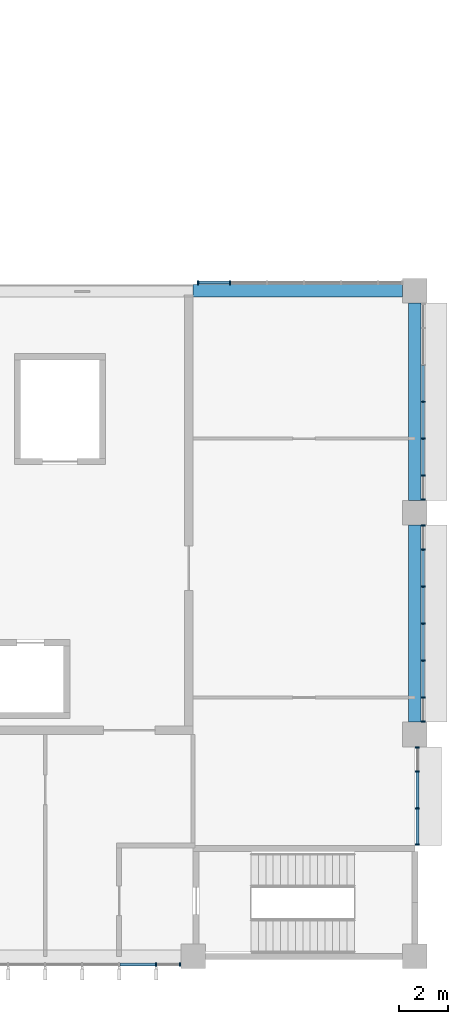
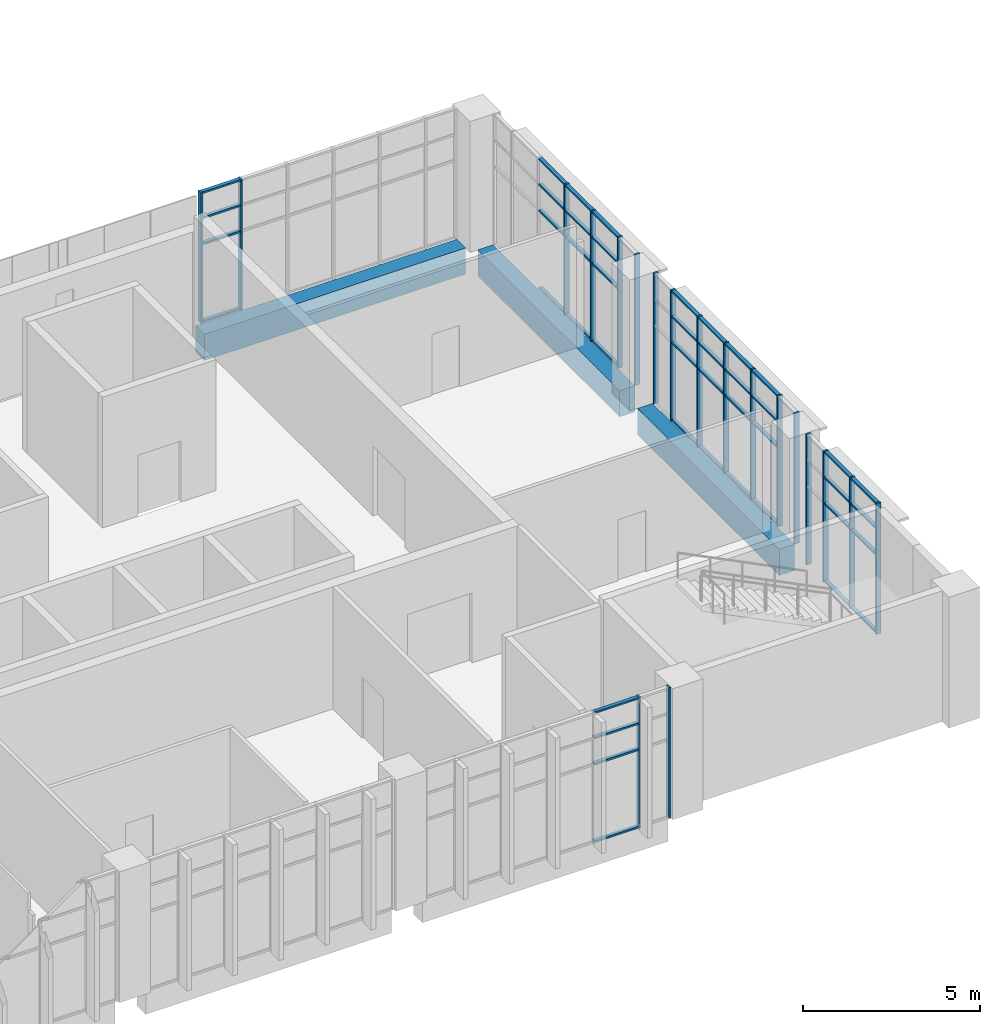
# One storey, part 32 of 88: 63 members, 3 beams, 5 elements without a shape of their own.
"""IFC4 building model written with IfcOpenShell, lengths in metres."""

from ifc_helpers import new_model, si_unit, direction, frame, origin, origin_2d, place, context, subcontext, project, spatial, rectangle, extrude, material, layer, layer_set, material_profile, profile_set, type_object, element, aggregate, save


model = new_model("IFC4")

# Units and contexts
model_context = context("Model", 3, precision=1e-05, world=origin(), true_north=direction((0.0, 1.0)))
body_context = subcontext(model_context, "Body", "Model", "MODEL_VIEW")
ifc_project = project(units=[si_unit("LENGTHUNIT", "METRE"), si_unit("AREAUNIT", "SQUARE_METRE"), si_unit("VOLUMEUNIT", "CUBIC_METRE"), si_unit("PLANEANGLEUNIT", "RADIAN"), si_unit("MASSUNIT", "GRAM", prefix="KILO")], contexts=[model_context])

# Site, building, storey
site_placement = place(None, origin())
site = spatial("IfcSite", under=ifc_project, at=site_placement, CompositionType="ELEMENT")
building_placement = place(site_placement, origin())
building = spatial("IfcBuilding", under=site, at=building_placement, Name="Guidao Yard Department Store", CompositionType="ELEMENT")
storey_placement = place(building_placement, frame((0.0, 0.0, 6.0)))
storey = spatial("IfcBuildingStorey", under=building, at=storey_placement, Name="L01", CompositionType="ELEMENT", Elevation=6.0)

# Curtain wall, members
ifc_material_1 = material(Name="Aluminium and glass", Category="aluminium")
ifc_layer = layer(ifc_material_1, 0.159912109375)
ifc_layer_set = layer_set([ifc_layer], Name="Unitised curtain wall CW4 1500 module")
curtain_wall_type = type_object("IfcCurtainWallType", Name="Unitised curtain wall CW4 1500 module", PredefinedType="NOTDEFINED", material=ifc_layer_set)
curtain_wall_1_placement = place(storey_placement, origin())
curtain_wall_1 = element("IfcCurtainWall", 1, at=curtain_wall_1_placement, inside=storey, type_object=curtain_wall_type, Name="Unitised curtain wall", PredefinedType="NOTDEFINED")
ifc_material_2 = material(Name="Aluminium 6063-T5", Category="aluminium")
ifc_material_profile_1 = material_profile(ifc_material_2, rectangle(XDim=0.06005859375, YDim=0.159912109375, at=origin_2d()), Name="Mullion M1 60 x 160 aluminium pressure plate")
ifc_profile_set_1 = profile_set([ifc_material_profile_1], Name="Aluminium 6063-T5")
member_type_1 = type_object("IfcMemberType", Name="Mullion M1 60 x 160 aluminium pressure plate", PredefinedType="MULLION", material=ifc_profile_set_1)
member_1_placement = place(storey_placement, frame((160.5, -0.330078125, 0.0), z_axis=(0.0, 0.0, 1.0), x_axis=(-1.0, 0.0, 0.0)))
member_1 = element("IfcMember", 2, at=member_1_placement, type_object=member_type_1, Name="CW-OW-L01-04 mullion 6", PredefinedType="MULLION", context=body_context, shape_type="SweptSolid", body=[
    extrude(rectangle(XDim=0.06005859375, YDim=0.159912109375, at=origin_2d()), origin(), (0.0, 0.0, 1.0), 4.5),
])
member_2_placement = place(storey_placement, frame((161.469970703125, -0.330078125, 0.0), z_axis=(0.0, 0.0, 1.0), x_axis=(-1.0, 0.0, 0.0)))
member_2 = element("IfcMember", 3, at=member_2_placement, type_object=member_type_1, Name="CW-OW-L01-04 mullion 7", PredefinedType="MULLION", context=body_context, shape_type="SweptSolid", body=[
    extrude(rectangle(XDim=0.06005859375, YDim=0.159912109375, at=origin_2d()), origin(), (0.0, 0.0, 1.0), 4.5),
])

curtain_wall_2_placement = place(storey_placement, origin())
curtain_wall_2 = element("IfcCurtainWall", 4, at=curtain_wall_2_placement, inside=storey, type_object=curtain_wall_type, Name="Unitised curtain wall", PredefinedType="NOTDEFINED")
member_3_placement = place(storey_placement, frame((162.205078125, 27.330078125, 0.0), z_axis=(0.0, 0.0, 1.0), x_axis=(1.0, 0.0, 0.0)))
member_3 = element("IfcMember", 5, at=member_3_placement, type_object=member_type_1, Name="CW-OW-L01-08 mullion 1", PredefinedType="MULLION", context=body_context, shape_type="SweptSolid", body=[
    extrude(rectangle(XDim=0.06005859375, YDim=0.159912109375, at=origin_2d()), origin(), (0.0, 0.0, 1.0), 4.5),
])
member_4_placement = place(storey_placement, frame((163.5, 27.330078125, 0.0), z_axis=(0.0, 0.0, 1.0), x_axis=(1.0, 0.0, 0.0)))
member_4 = element("IfcMember", 6, at=member_4_placement, type_object=member_type_1, Name="CW-OW-L01-08 mullion 2", PredefinedType="MULLION", context=body_context, shape_type="SweptSolid", body=[
    extrude(rectangle(XDim=0.06005859375, YDim=0.159912109375, at=origin_2d()), origin(), (0.0, 0.0, 1.0), 4.5),
])

curtain_wall_3_placement = place(storey_placement, origin())
curtain_wall_3 = element("IfcCurtainWall", 7, at=curtain_wall_3_placement, inside=storey, type_object=curtain_wall_type, Name="Unitised curtain wall", PredefinedType="NOTDEFINED")
member_5_placement = place(storey_placement, frame((171.10009765625, 4.530029296875, 0.0), z_axis=(0.0, 0.0, 1.0), x_axis=(0.0, -1.0, 0.0)))
member_5 = element("IfcMember", 8, at=member_5_placement, type_object=member_type_1, Name="CW-OW-L01-09 mullion 1", PredefinedType="MULLION", context=body_context, shape_type="SweptSolid", body=[
    extrude(rectangle(XDim=0.06005859375, YDim=0.159912109375, at=origin_2d()), origin(), (0.0, 0.0, 1.0), 4.5),
])
member_6_placement = place(storey_placement, frame((171.10009765625, 6.0, 0.0), z_axis=(0.0, 0.0, 1.0), x_axis=(0.0, -1.0, 0.0)))
member_6 = element("IfcMember", 9, at=member_6_placement, type_object=member_type_1, Name="CW-OW-L01-09 mullion 2", PredefinedType="MULLION", context=body_context, shape_type="SweptSolid", body=[
    extrude(rectangle(XDim=0.06005859375, YDim=0.159912109375, at=origin_2d()), origin(), (0.0, 0.0, 1.0), 4.5),
])
member_7_placement = place(storey_placement, frame((171.10009765625, 7.5, 0.0), z_axis=(0.0, 0.0, 1.0), x_axis=(0.0, -1.0, 0.0)))
member_7 = element("IfcMember", 10, at=member_7_placement, type_object=member_type_1, Name="CW-OW-L01-09 mullion 3", PredefinedType="MULLION", context=body_context, shape_type="SweptSolid", body=[
    extrude(rectangle(XDim=0.06005859375, YDim=0.159912109375, at=origin_2d()), origin(), (0.0, 0.0, 1.0), 4.5),
])
member_8_placement = place(storey_placement, frame((171.10009765625, 8.469970703125, 0.0), z_axis=(0.0, 0.0, 1.0), x_axis=(0.0, -1.0, 0.0)))
member_8 = element("IfcMember", 11, at=member_8_placement, type_object=member_type_1, Name="CW-OW-L01-09 mullion 4", PredefinedType="MULLION", context=body_context, shape_type="SweptSolid", body=[
    extrude(rectangle(XDim=0.06005859375, YDim=0.159912109375, at=origin_2d()), origin(), (0.0, 0.0, 1.0), 4.5),
])

curtain_wall_4_placement = place(storey_placement, origin())
curtain_wall_4 = element("IfcCurtainWall", 12, at=curtain_wall_4_placement, inside=storey, type_object=curtain_wall_type, Name="Unitised curtain wall", PredefinedType="NOTDEFINED")
member_9_placement = place(storey_placement, frame((171.330078125, 9.530029296875, 0.0), z_axis=(0.0, 0.0, 1.0), x_axis=(0.0, -1.0, 0.0)))
member_9 = element("IfcMember", 13, at=member_9_placement, type_object=member_type_1, Name="CW-OW-L01-10 mullion 1", PredefinedType="MULLION", context=body_context, shape_type="SweptSolid", body=[
    extrude(rectangle(XDim=0.06005859375, YDim=0.159912109375, at=origin_2d()), origin(), (0.0, 0.0, 1.0), 4.5),
])
member_10_placement = place(storey_placement, frame((171.330078125, 10.5, 0.0), z_axis=(0.0, 0.0, 1.0), x_axis=(0.0, -1.0, 0.0)))
member_10 = element("IfcMember", 14, at=member_10_placement, type_object=member_type_1, Name="CW-OW-L01-10 mullion 2", PredefinedType="MULLION", context=body_context, shape_type="SweptSolid", body=[
    extrude(rectangle(XDim=0.06005859375, YDim=0.159912109375, at=origin_2d()), origin(), (0.0, 0.0, 1.0), 4.5),
])
member_11_placement = place(storey_placement, frame((171.330078125, 12.0, 0.0), z_axis=(0.0, 0.0, 1.0), x_axis=(0.0, -1.0, 0.0)))
member_11 = element("IfcMember", 15, at=member_11_placement, type_object=member_type_1, Name="CW-OW-L01-10 mullion 3", PredefinedType="MULLION", context=body_context, shape_type="SweptSolid", body=[
    extrude(rectangle(XDim=0.06005859375, YDim=0.159912109375, at=origin_2d()), origin(), (0.0, 0.0, 1.0), 4.5),
])
member_12_placement = place(storey_placement, frame((171.330078125, 13.5, 0.0), z_axis=(0.0, 0.0, 1.0), x_axis=(0.0, -1.0, 0.0)))
member_12 = element("IfcMember", 16, at=member_12_placement, type_object=member_type_1, Name="CW-OW-L01-10 mullion 4", PredefinedType="MULLION", context=body_context, shape_type="SweptSolid", body=[
    extrude(rectangle(XDim=0.06005859375, YDim=0.159912109375, at=origin_2d()), origin(), (0.0, 0.0, 1.0), 4.5),
])
member_13_placement = place(storey_placement, frame((171.330078125, 15.0, 0.0), z_axis=(0.0, 0.0, 1.0), x_axis=(0.0, -1.0, 0.0)))
member_13 = element("IfcMember", 17, at=member_13_placement, type_object=member_type_1, Name="CW-OW-L01-10 mullion 5", PredefinedType="MULLION", context=body_context, shape_type="SweptSolid", body=[
    extrude(rectangle(XDim=0.06005859375, YDim=0.159912109375, at=origin_2d()), origin(), (0.0, 0.0, 1.0), 4.5),
])
member_14_placement = place(storey_placement, frame((171.330078125, 16.5, 0.0), z_axis=(0.0, 0.0, 1.0), x_axis=(0.0, -1.0, 0.0)))
member_14 = element("IfcMember", 18, at=member_14_placement, type_object=member_type_1, Name="CW-OW-L01-10 mullion 6", PredefinedType="MULLION", context=body_context, shape_type="SweptSolid", body=[
    extrude(rectangle(XDim=0.06005859375, YDim=0.159912109375, at=origin_2d()), origin(), (0.0, 0.0, 1.0), 4.5),
])
member_15_placement = place(storey_placement, frame((171.330078125, 17.469970703125, 0.0), z_axis=(0.0, 0.0, 1.0), x_axis=(0.0, -1.0, 0.0)))
member_15 = element("IfcMember", 19, at=member_15_placement, type_object=member_type_1, Name="CW-OW-L01-10 mullion 7", PredefinedType="MULLION", context=body_context, shape_type="SweptSolid", body=[
    extrude(rectangle(XDim=0.06005859375, YDim=0.159912109375, at=origin_2d()), origin(), (0.0, 0.0, 1.0), 4.5),
])

curtain_wall_5_placement = place(storey_placement, origin())
curtain_wall_5 = element("IfcCurtainWall", 20, at=curtain_wall_5_placement, inside=storey, type_object=curtain_wall_type, Name="Unitised curtain wall", PredefinedType="NOTDEFINED")
member_16_placement = place(storey_placement, frame((171.330078125, 18.530029296875, 0.0), z_axis=(0.0, 0.0, 1.0), x_axis=(0.0, -1.0, 0.0)))
member_16 = element("IfcMember", 21, at=member_16_placement, type_object=member_type_1, Name="CW-OW-L01-11 mullion 1", PredefinedType="MULLION", context=body_context, shape_type="SweptSolid", body=[
    extrude(rectangle(XDim=0.06005859375, YDim=0.159912109375, at=origin_2d()), origin(), (0.0, 0.0, 1.0), 4.5),
])
member_17_placement = place(storey_placement, frame((171.330078125, 19.5, 0.0), z_axis=(0.0, 0.0, 1.0), x_axis=(0.0, -1.0, 0.0)))
member_17 = element("IfcMember", 22, at=member_17_placement, type_object=member_type_1, Name="CW-OW-L01-11 mullion 2", PredefinedType="MULLION", context=body_context, shape_type="SweptSolid", body=[
    extrude(rectangle(XDim=0.06005859375, YDim=0.159912109375, at=origin_2d()), origin(), (0.0, 0.0, 1.0), 4.5),
])
member_18_placement = place(storey_placement, frame((171.330078125, 21.0, 0.0), z_axis=(0.0, 0.0, 1.0), x_axis=(0.0, -1.0, 0.0)))
member_18 = element("IfcMember", 23, at=member_18_placement, type_object=member_type_1, Name="CW-OW-L01-11 mullion 3", PredefinedType="MULLION", context=body_context, shape_type="SweptSolid", body=[
    extrude(rectangle(XDim=0.06005859375, YDim=0.159912109375, at=origin_2d()), origin(), (0.0, 0.0, 1.0), 4.5),
])
member_19_placement = place(storey_placement, frame((171.330078125, 22.5, 0.0), z_axis=(0.0, 0.0, 1.0), x_axis=(0.0, -1.0, 0.0)))
member_19 = element("IfcMember", 24, at=member_19_placement, type_object=member_type_1, Name="CW-OW-L01-11 mullion 4", PredefinedType="MULLION", context=body_context, shape_type="SweptSolid", body=[
    extrude(rectangle(XDim=0.06005859375, YDim=0.159912109375, at=origin_2d()), origin(), (0.0, 0.0, 1.0), 4.5),
])

# Beams
ifc_material_3 = material(Name="Concrete C40", Category="concrete")
ifc_material_profile_2 = material_profile(ifc_material_3, rectangle(XDim=0.5, YDim=0.89990234375, at=origin_2d()), Name="Spandrel beam 500 x 900 C40")
ifc_profile_set_2 = profile_set([ifc_material_profile_2], Name="Concrete C40")
beam_type = type_object("IfcBeamType", Name="Spandrel beam 500 x 900 C40", PredefinedType="SPANDREL", material=ifc_profile_set_2)
beam_placement = place(storey_placement, frame((162.0, 27.0, -0.449951171875), z_axis=(1.0, 0.0, 0.0), x_axis=(0.0, 1.0, 0.0)))
element("IfcBeam", 25, at=beam_placement, inside=storey, type_object=beam_type, Name="Beam FB08", PredefinedType="SPANDREL", context=body_context, shape_type="SweptSolid", body=[
    extrude(rectangle(XDim=0.5, YDim=0.89990234375, at=origin_2d()), origin(), (0.0, 0.0, 1.0), 8.5),
])
for number, where, z_axis, x_axis, name in (
    (26, (171.0, 9.5, -0.449951171875), (0.0, 1.0, 0.0), (-1.0, 0.0, 0.0), "Beam FB09"),
    (27, (171.0, 18.5, -0.449951171875), (0.0, 1.0, 0.0), (-1.0, 0.0, 0.0), "Beam FB10"),
):
    element("IfcBeam", number, at=place(storey_placement, frame(where, z_axis=z_axis, x_axis=x_axis)), inside=storey, type_object=beam_type, Name=name, PredefinedType="SPANDREL", context=body_context, shape_type="SweptSolid", body=[
        extrude(rectangle(XDim=0.5, YDim=0.89990234375, at=origin_2d()), origin(), (0.0, 0.0, 1.0), 8.0),
    ])

# Member
ifc_material_4 = material(Name="Aluminium 6063-T5", Category="aluminium")
ifc_material_profile_3 = material_profile(ifc_material_4, rectangle(XDim=0.1201171875, YDim=0.06005859375, at=origin_2d()), Name="Transom T1 60 x 120 aluminium pressure plate")
ifc_profile_set_3 = profile_set([ifc_material_profile_3], Name="Aluminium 6063-T5")
member_type_2 = type_object("IfcMemberType", Name="Transom T1 60 x 120 aluminium pressure plate", PredefinedType="USERDEFINED", material=ifc_profile_set_3)
member_20_placement = place(storey_placement, frame((160.469970703125, -0.330078125, 0.030029296875), z_axis=(-1.0, 0.0, 0.0), x_axis=(0.0, -1.0, 0.0)))
member_20 = element("IfcMember", 28, at=member_20_placement, type_object=member_type_2, Name="CW-OW-L01-04 transom 5.1", ObjectType="TRANSOM", PredefinedType="USERDEFINED", context=body_context, shape_type="SweptSolid", body=[
    extrude(rectangle(XDim=0.1201171875, YDim=0.06005859375, at=origin_2d()), origin(), (0.0, 0.0, 1.0), 1.43994140625),
])

member_21_placement = place(storey_placement, frame((160.469970703125, -0.330078125, 2.699951171875), z_axis=(-1.0, 0.0, 0.0), x_axis=(0.0, -1.0, 0.0)))
member_21 = element("IfcMember", 29, at=member_21_placement, type_object=member_type_2, Name="CW-OW-L01-04 transom 5.2", ObjectType="TRANSOM", PredefinedType="USERDEFINED", context=body_context, shape_type="SweptSolid", body=[
    extrude(rectangle(XDim=0.1201171875, YDim=0.06005859375, at=origin_2d()), origin(), (0.0, 0.0, 1.0), 1.43994140625),
])

member_22_placement = place(storey_placement, frame((160.469970703125, -0.330078125, 3.60009765625), z_axis=(-1.0, 0.0, 0.0), x_axis=(0.0, -1.0, 0.0)))
member_22 = element("IfcMember", 30, at=member_22_placement, type_object=member_type_2, Name="CW-OW-L01-04 transom 5.3", ObjectType="TRANSOM", PredefinedType="USERDEFINED", context=body_context, shape_type="SweptSolid", body=[
    extrude(rectangle(XDim=0.1201171875, YDim=0.06005859375, at=origin_2d()), origin(), (0.0, 0.0, 1.0), 1.43994140625),
])

member_23_placement = place(storey_placement, frame((160.469970703125, -0.330078125, 4.469970703125), z_axis=(-1.0, 0.0, 0.0), x_axis=(0.0, -1.0, 0.0)))
member_23 = element("IfcMember", 31, at=member_23_placement, type_object=member_type_2, Name="CW-OW-L01-04 transom 5.4", ObjectType="TRANSOM", PredefinedType="USERDEFINED", context=body_context, shape_type="SweptSolid", body=[
    extrude(rectangle(XDim=0.1201171875, YDim=0.06005859375, at=origin_2d()), origin(), (0.0, 0.0, 1.0), 1.43994140625),
])

aggregate(curtain_wall_1, [member_1, member_2, member_20, member_21, member_22, member_23])

member_24_placement = place(storey_placement, frame((162.235107421875, 27.330078125, 0.030029296875), z_axis=(1.0, 0.0, 0.0), x_axis=(0.0, 1.0, 0.0)))
member_24 = element("IfcMember", 32, at=member_24_placement, type_object=member_type_2, Name="CW-OW-L01-08 transom 1.1", ObjectType="TRANSOM", PredefinedType="USERDEFINED", context=body_context, shape_type="SweptSolid", body=[
    extrude(rectangle(XDim=0.1201171875, YDim=0.06005859375, at=origin_2d()), origin(), (0.0, 0.0, 1.0), 1.23486328125),
])

member_25_placement = place(storey_placement, frame((162.235107421875, 27.330078125, 2.699951171875), z_axis=(1.0, 0.0, 0.0), x_axis=(0.0, 1.0, 0.0)))
member_25 = element("IfcMember", 33, at=member_25_placement, type_object=member_type_2, Name="CW-OW-L01-08 transom 1.2", ObjectType="TRANSOM", PredefinedType="USERDEFINED", context=body_context, shape_type="SweptSolid", body=[
    extrude(rectangle(XDim=0.1201171875, YDim=0.06005859375, at=origin_2d()), origin(), (0.0, 0.0, 1.0), 1.23486328125),
])

member_26_placement = place(storey_placement, frame((162.235107421875, 27.330078125, 3.60009765625), z_axis=(1.0, 0.0, 0.0), x_axis=(0.0, 1.0, 0.0)))
member_26 = element("IfcMember", 34, at=member_26_placement, type_object=member_type_2, Name="CW-OW-L01-08 transom 1.3", ObjectType="TRANSOM", PredefinedType="USERDEFINED", context=body_context, shape_type="SweptSolid", body=[
    extrude(rectangle(XDim=0.1201171875, YDim=0.06005859375, at=origin_2d()), origin(), (0.0, 0.0, 1.0), 1.23486328125),
])

member_27_placement = place(storey_placement, frame((162.235107421875, 27.330078125, 4.469970703125), z_axis=(1.0, 0.0, 0.0), x_axis=(0.0, 1.0, 0.0)))
member_27 = element("IfcMember", 35, at=member_27_placement, type_object=member_type_2, Name="CW-OW-L01-08 transom 1.4", ObjectType="TRANSOM", PredefinedType="USERDEFINED", context=body_context, shape_type="SweptSolid", body=[
    extrude(rectangle(XDim=0.1201171875, YDim=0.06005859375, at=origin_2d()), origin(), (0.0, 0.0, 1.0), 1.23486328125),
])

aggregate(curtain_wall_2, [member_3, member_4, member_24, member_25, member_26, member_27])

member_28_placement = place(storey_placement, frame((171.10009765625, 5.969970703125, 0.030029296875), z_axis=(0.0, -1.0, 0.0), x_axis=(1.0, 0.0, 0.0)))
member_28 = element("IfcMember", 36, at=member_28_placement, type_object=member_type_2, Name="CW-OW-L01-09 transom 1.1", ObjectType="TRANSOM", PredefinedType="USERDEFINED", context=body_context, shape_type="SweptSolid", body=[
    extrude(rectangle(XDim=0.1201171875, YDim=0.06005859375, at=origin_2d()), origin(), (0.0, 0.0, 1.0), 1.409912109375),
])

member_29_placement = place(storey_placement, frame((171.10009765625, 5.969970703125, 2.699951171875), z_axis=(0.0, -1.0, 0.0), x_axis=(1.0, 0.0, 0.0)))
member_29 = element("IfcMember", 37, at=member_29_placement, type_object=member_type_2, Name="CW-OW-L01-09 transom 1.2", ObjectType="TRANSOM", PredefinedType="USERDEFINED", context=body_context, shape_type="SweptSolid", body=[
    extrude(rectangle(XDim=0.1201171875, YDim=0.06005859375, at=origin_2d()), origin(), (0.0, 0.0, 1.0), 1.409912109375),
])

member_30_placement = place(storey_placement, frame((171.10009765625, 5.969970703125, 3.60009765625), z_axis=(0.0, -1.0, 0.0), x_axis=(1.0, 0.0, 0.0)))
member_30 = element("IfcMember", 38, at=member_30_placement, type_object=member_type_2, Name="CW-OW-L01-09 transom 1.3", ObjectType="TRANSOM", PredefinedType="USERDEFINED", context=body_context, shape_type="SweptSolid", body=[
    extrude(rectangle(XDim=0.1201171875, YDim=0.06005859375, at=origin_2d()), origin(), (0.0, 0.0, 1.0), 1.409912109375),
])

member_31_placement = place(storey_placement, frame((171.10009765625, 5.969970703125, 4.469970703125), z_axis=(0.0, -1.0, 0.0), x_axis=(1.0, 0.0, 0.0)))
member_31 = element("IfcMember", 39, at=member_31_placement, type_object=member_type_2, Name="CW-OW-L01-09 transom 1.4", ObjectType="TRANSOM", PredefinedType="USERDEFINED", context=body_context, shape_type="SweptSolid", body=[
    extrude(rectangle(XDim=0.1201171875, YDim=0.06005859375, at=origin_2d()), origin(), (0.0, 0.0, 1.0), 1.409912109375),
])

member_32_placement = place(storey_placement, frame((171.10009765625, 7.469970703125, 0.030029296875), z_axis=(0.0, -1.0, 0.0), x_axis=(1.0, 0.0, 0.0)))
member_32 = element("IfcMember", 40, at=member_32_placement, type_object=member_type_2, Name="CW-OW-L01-09 transom 2.1", ObjectType="TRANSOM", PredefinedType="USERDEFINED", context=body_context, shape_type="SweptSolid", body=[
    extrude(rectangle(XDim=0.1201171875, YDim=0.06005859375, at=origin_2d()), origin(), (0.0, 0.0, 1.0), 1.43994140625),
])

member_33_placement = place(storey_placement, frame((171.10009765625, 7.469970703125, 2.699951171875), z_axis=(0.0, -1.0, 0.0), x_axis=(1.0, 0.0, 0.0)))
member_33 = element("IfcMember", 41, at=member_33_placement, type_object=member_type_2, Name="CW-OW-L01-09 transom 2.2", ObjectType="TRANSOM", PredefinedType="USERDEFINED", context=body_context, shape_type="SweptSolid", body=[
    extrude(rectangle(XDim=0.1201171875, YDim=0.06005859375, at=origin_2d()), origin(), (0.0, 0.0, 1.0), 1.43994140625),
])

member_34_placement = place(storey_placement, frame((171.10009765625, 7.469970703125, 3.60009765625), z_axis=(0.0, -1.0, 0.0), x_axis=(1.0, 0.0, 0.0)))
member_34 = element("IfcMember", 42, at=member_34_placement, type_object=member_type_2, Name="CW-OW-L01-09 transom 2.3", ObjectType="TRANSOM", PredefinedType="USERDEFINED", context=body_context, shape_type="SweptSolid", body=[
    extrude(rectangle(XDim=0.1201171875, YDim=0.06005859375, at=origin_2d()), origin(), (0.0, 0.0, 1.0), 1.43994140625),
])

member_35_placement = place(storey_placement, frame((171.10009765625, 7.469970703125, 4.469970703125), z_axis=(0.0, -1.0, 0.0), x_axis=(1.0, 0.0, 0.0)))
member_35 = element("IfcMember", 43, at=member_35_placement, type_object=member_type_2, Name="CW-OW-L01-09 transom 2.4", ObjectType="TRANSOM", PredefinedType="USERDEFINED", context=body_context, shape_type="SweptSolid", body=[
    extrude(rectangle(XDim=0.1201171875, YDim=0.06005859375, at=origin_2d()), origin(), (0.0, 0.0, 1.0), 1.43994140625),
])

aggregate(curtain_wall_3, [member_5, member_6, member_7, member_8, member_28, member_29, member_30, member_31, member_32, member_33, member_34, member_35])

member_36_placement = place(storey_placement, frame((171.330078125, 11.969970703125, 0.030029296875), z_axis=(0.0, -1.0, 0.0), x_axis=(1.0, 0.0, 0.0)))
member_36 = element("IfcMember", 44, at=member_36_placement, type_object=member_type_2, Name="CW-OW-L01-10 transom 2.1", ObjectType="TRANSOM", PredefinedType="USERDEFINED", context=body_context, shape_type="SweptSolid", body=[
    extrude(rectangle(XDim=0.1201171875, YDim=0.06005859375, at=origin_2d()), origin(), (0.0, 0.0, 1.0), 1.43994140625),
])

member_37_placement = place(storey_placement, frame((171.330078125, 11.969970703125, 2.699951171875), z_axis=(0.0, -1.0, 0.0), x_axis=(1.0, 0.0, 0.0)))
member_37 = element("IfcMember", 45, at=member_37_placement, type_object=member_type_2, Name="CW-OW-L01-10 transom 2.2", ObjectType="TRANSOM", PredefinedType="USERDEFINED", context=body_context, shape_type="SweptSolid", body=[
    extrude(rectangle(XDim=0.1201171875, YDim=0.06005859375, at=origin_2d()), origin(), (0.0, 0.0, 1.0), 1.43994140625),
])

member_38_placement = place(storey_placement, frame((171.330078125, 11.969970703125, 3.60009765625), z_axis=(0.0, -1.0, 0.0), x_axis=(1.0, 0.0, 0.0)))
member_38 = element("IfcMember", 46, at=member_38_placement, type_object=member_type_2, Name="CW-OW-L01-10 transom 2.3", ObjectType="TRANSOM", PredefinedType="USERDEFINED", context=body_context, shape_type="SweptSolid", body=[
    extrude(rectangle(XDim=0.1201171875, YDim=0.06005859375, at=origin_2d()), origin(), (0.0, 0.0, 1.0), 1.43994140625),
])

member_39_placement = place(storey_placement, frame((171.330078125, 11.969970703125, 4.469970703125), z_axis=(0.0, -1.0, 0.0), x_axis=(1.0, 0.0, 0.0)))
member_39 = element("IfcMember", 47, at=member_39_placement, type_object=member_type_2, Name="CW-OW-L01-10 transom 2.4", ObjectType="TRANSOM", PredefinedType="USERDEFINED", context=body_context, shape_type="SweptSolid", body=[
    extrude(rectangle(XDim=0.1201171875, YDim=0.06005859375, at=origin_2d()), origin(), (0.0, 0.0, 1.0), 1.43994140625),
])

member_40_placement = place(storey_placement, frame((171.330078125, 13.469970703125, 0.030029296875), z_axis=(0.0, -1.0, 0.0), x_axis=(1.0, 0.0, 0.0)))
member_40 = element("IfcMember", 48, at=member_40_placement, type_object=member_type_2, Name="CW-OW-L01-10 transom 3.1", ObjectType="TRANSOM", PredefinedType="USERDEFINED", context=body_context, shape_type="SweptSolid", body=[
    extrude(rectangle(XDim=0.1201171875, YDim=0.06005859375, at=origin_2d()), origin(), (0.0, 0.0, 1.0), 1.43994140625),
])

member_41_placement = place(storey_placement, frame((171.330078125, 13.469970703125, 2.699951171875), z_axis=(0.0, -1.0, 0.0), x_axis=(1.0, 0.0, 0.0)))
member_41 = element("IfcMember", 49, at=member_41_placement, type_object=member_type_2, Name="CW-OW-L01-10 transom 3.2", ObjectType="TRANSOM", PredefinedType="USERDEFINED", context=body_context, shape_type="SweptSolid", body=[
    extrude(rectangle(XDim=0.1201171875, YDim=0.06005859375, at=origin_2d()), origin(), (0.0, 0.0, 1.0), 1.43994140625),
])

member_42_placement = place(storey_placement, frame((171.330078125, 13.469970703125, 3.60009765625), z_axis=(0.0, -1.0, 0.0), x_axis=(1.0, 0.0, 0.0)))
member_42 = element("IfcMember", 50, at=member_42_placement, type_object=member_type_2, Name="CW-OW-L01-10 transom 3.3", ObjectType="TRANSOM", PredefinedType="USERDEFINED", context=body_context, shape_type="SweptSolid", body=[
    extrude(rectangle(XDim=0.1201171875, YDim=0.06005859375, at=origin_2d()), origin(), (0.0, 0.0, 1.0), 1.43994140625),
])

member_43_placement = place(storey_placement, frame((171.330078125, 13.469970703125, 4.469970703125), z_axis=(0.0, -1.0, 0.0), x_axis=(1.0, 0.0, 0.0)))
member_43 = element("IfcMember", 51, at=member_43_placement, type_object=member_type_2, Name="CW-OW-L01-10 transom 3.4", ObjectType="TRANSOM", PredefinedType="USERDEFINED", context=body_context, shape_type="SweptSolid", body=[
    extrude(rectangle(XDim=0.1201171875, YDim=0.06005859375, at=origin_2d()), origin(), (0.0, 0.0, 1.0), 1.43994140625),
])

member_44_placement = place(storey_placement, frame((171.330078125, 14.969970703125, 0.030029296875), z_axis=(0.0, -1.0, 0.0), x_axis=(1.0, 0.0, 0.0)))
member_44 = element("IfcMember", 52, at=member_44_placement, type_object=member_type_2, Name="CW-OW-L01-10 transom 4.1", ObjectType="TRANSOM", PredefinedType="USERDEFINED", context=body_context, shape_type="SweptSolid", body=[
    extrude(rectangle(XDim=0.1201171875, YDim=0.06005859375, at=origin_2d()), origin(), (0.0, 0.0, 1.0), 1.43994140625),
])

member_45_placement = place(storey_placement, frame((171.330078125, 14.969970703125, 2.699951171875), z_axis=(0.0, -1.0, 0.0), x_axis=(1.0, 0.0, 0.0)))
member_45 = element("IfcMember", 53, at=member_45_placement, type_object=member_type_2, Name="CW-OW-L01-10 transom 4.2", ObjectType="TRANSOM", PredefinedType="USERDEFINED", context=body_context, shape_type="SweptSolid", body=[
    extrude(rectangle(XDim=0.1201171875, YDim=0.06005859375, at=origin_2d()), origin(), (0.0, 0.0, 1.0), 1.43994140625),
])

member_46_placement = place(storey_placement, frame((171.330078125, 14.969970703125, 3.60009765625), z_axis=(0.0, -1.0, 0.0), x_axis=(1.0, 0.0, 0.0)))
member_46 = element("IfcMember", 54, at=member_46_placement, type_object=member_type_2, Name="CW-OW-L01-10 transom 4.3", ObjectType="TRANSOM", PredefinedType="USERDEFINED", context=body_context, shape_type="SweptSolid", body=[
    extrude(rectangle(XDim=0.1201171875, YDim=0.06005859375, at=origin_2d()), origin(), (0.0, 0.0, 1.0), 1.43994140625),
])

member_47_placement = place(storey_placement, frame((171.330078125, 14.969970703125, 4.469970703125), z_axis=(0.0, -1.0, 0.0), x_axis=(1.0, 0.0, 0.0)))
member_47 = element("IfcMember", 55, at=member_47_placement, type_object=member_type_2, Name="CW-OW-L01-10 transom 4.4", ObjectType="TRANSOM", PredefinedType="USERDEFINED", context=body_context, shape_type="SweptSolid", body=[
    extrude(rectangle(XDim=0.1201171875, YDim=0.06005859375, at=origin_2d()), origin(), (0.0, 0.0, 1.0), 1.43994140625),
])

member_48_placement = place(storey_placement, frame((171.330078125, 16.469970703125, 0.030029296875), z_axis=(0.0, -1.0, 0.0), x_axis=(1.0, 0.0, 0.0)))
member_48 = element("IfcMember", 56, at=member_48_placement, type_object=member_type_2, Name="CW-OW-L01-10 transom 5.1", ObjectType="TRANSOM", PredefinedType="USERDEFINED", context=body_context, shape_type="SweptSolid", body=[
    extrude(rectangle(XDim=0.1201171875, YDim=0.06005859375, at=origin_2d()), origin(), (0.0, 0.0, 1.0), 1.43994140625),
])

member_49_placement = place(storey_placement, frame((171.330078125, 16.469970703125, 2.699951171875), z_axis=(0.0, -1.0, 0.0), x_axis=(1.0, 0.0, 0.0)))
member_49 = element("IfcMember", 57, at=member_49_placement, type_object=member_type_2, Name="CW-OW-L01-10 transom 5.2", ObjectType="TRANSOM", PredefinedType="USERDEFINED", context=body_context, shape_type="SweptSolid", body=[
    extrude(rectangle(XDim=0.1201171875, YDim=0.06005859375, at=origin_2d()), origin(), (0.0, 0.0, 1.0), 1.43994140625),
])

member_50_placement = place(storey_placement, frame((171.330078125, 16.469970703125, 3.60009765625), z_axis=(0.0, -1.0, 0.0), x_axis=(1.0, 0.0, 0.0)))
member_50 = element("IfcMember", 58, at=member_50_placement, type_object=member_type_2, Name="CW-OW-L01-10 transom 5.3", ObjectType="TRANSOM", PredefinedType="USERDEFINED", context=body_context, shape_type="SweptSolid", body=[
    extrude(rectangle(XDim=0.1201171875, YDim=0.06005859375, at=origin_2d()), origin(), (0.0, 0.0, 1.0), 1.43994140625),
])

member_51_placement = place(storey_placement, frame((171.330078125, 16.469970703125, 4.469970703125), z_axis=(0.0, -1.0, 0.0), x_axis=(1.0, 0.0, 0.0)))
member_51 = element("IfcMember", 59, at=member_51_placement, type_object=member_type_2, Name="CW-OW-L01-10 transom 5.4", ObjectType="TRANSOM", PredefinedType="USERDEFINED", context=body_context, shape_type="SweptSolid", body=[
    extrude(rectangle(XDim=0.1201171875, YDim=0.06005859375, at=origin_2d()), origin(), (0.0, 0.0, 1.0), 1.43994140625),
])

aggregate(curtain_wall_4, [member_9, member_10, member_11, member_12, member_13, member_14, member_15, member_36, member_37, member_38, member_39, member_40, member_41, member_42, member_43, member_44, member_45, member_46, member_47, member_48, member_49, member_50, member_51])

member_52_placement = place(storey_placement, frame((171.330078125, 20.969970703125, 0.030029296875), z_axis=(0.0, -1.0, 0.0), x_axis=(1.0, 0.0, 0.0)))
member_52 = element("IfcMember", 60, at=member_52_placement, type_object=member_type_2, Name="CW-OW-L01-11 transom 2.1", ObjectType="TRANSOM", PredefinedType="USERDEFINED", context=body_context, shape_type="SweptSolid", body=[
    extrude(rectangle(XDim=0.1201171875, YDim=0.06005859375, at=origin_2d()), origin(), (0.0, 0.0, 1.0), 1.43994140625),
])

member_53_placement = place(storey_placement, frame((171.330078125, 20.969970703125, 2.699951171875), z_axis=(0.0, -1.0, 0.0), x_axis=(1.0, 0.0, 0.0)))
member_53 = element("IfcMember", 61, at=member_53_placement, type_object=member_type_2, Name="CW-OW-L01-11 transom 2.2", ObjectType="TRANSOM", PredefinedType="USERDEFINED", context=body_context, shape_type="SweptSolid", body=[
    extrude(rectangle(XDim=0.1201171875, YDim=0.06005859375, at=origin_2d()), origin(), (0.0, 0.0, 1.0), 1.43994140625),
])

member_54_placement = place(storey_placement, frame((171.330078125, 20.969970703125, 3.60009765625), z_axis=(0.0, -1.0, 0.0), x_axis=(1.0, 0.0, 0.0)))
member_54 = element("IfcMember", 62, at=member_54_placement, type_object=member_type_2, Name="CW-OW-L01-11 transom 2.3", ObjectType="TRANSOM", PredefinedType="USERDEFINED", context=body_context, shape_type="SweptSolid", body=[
    extrude(rectangle(XDim=0.1201171875, YDim=0.06005859375, at=origin_2d()), origin(), (0.0, 0.0, 1.0), 1.43994140625),
])

member_55_placement = place(storey_placement, frame((171.330078125, 20.969970703125, 4.469970703125), z_axis=(0.0, -1.0, 0.0), x_axis=(1.0, 0.0, 0.0)))
member_55 = element("IfcMember", 63, at=member_55_placement, type_object=member_type_2, Name="CW-OW-L01-11 transom 2.4", ObjectType="TRANSOM", PredefinedType="USERDEFINED", context=body_context, shape_type="SweptSolid", body=[
    extrude(rectangle(XDim=0.1201171875, YDim=0.06005859375, at=origin_2d()), origin(), (0.0, 0.0, 1.0), 1.43994140625),
])

member_56_placement = place(storey_placement, frame((171.330078125, 22.469970703125, 0.030029296875), z_axis=(0.0, -1.0, 0.0), x_axis=(1.0, 0.0, 0.0)))
member_56 = element("IfcMember", 64, at=member_56_placement, type_object=member_type_2, Name="CW-OW-L01-11 transom 3.1", ObjectType="TRANSOM", PredefinedType="USERDEFINED", context=body_context, shape_type="SweptSolid", body=[
    extrude(rectangle(XDim=0.1201171875, YDim=0.06005859375, at=origin_2d()), origin(), (0.0, 0.0, 1.0), 1.43994140625),
])

member_57_placement = place(storey_placement, frame((171.330078125, 22.469970703125, 2.699951171875), z_axis=(0.0, -1.0, 0.0), x_axis=(1.0, 0.0, 0.0)))
member_57 = element("IfcMember", 65, at=member_57_placement, type_object=member_type_2, Name="CW-OW-L01-11 transom 3.2", ObjectType="TRANSOM", PredefinedType="USERDEFINED", context=body_context, shape_type="SweptSolid", body=[
    extrude(rectangle(XDim=0.1201171875, YDim=0.06005859375, at=origin_2d()), origin(), (0.0, 0.0, 1.0), 1.43994140625),
])

member_58_placement = place(storey_placement, frame((171.330078125, 22.469970703125, 3.60009765625), z_axis=(0.0, -1.0, 0.0), x_axis=(1.0, 0.0, 0.0)))
member_58 = element("IfcMember", 66, at=member_58_placement, type_object=member_type_2, Name="CW-OW-L01-11 transom 3.3", ObjectType="TRANSOM", PredefinedType="USERDEFINED", context=body_context, shape_type="SweptSolid", body=[
    extrude(rectangle(XDim=0.1201171875, YDim=0.06005859375, at=origin_2d()), origin(), (0.0, 0.0, 1.0), 1.43994140625),
])

member_59_placement = place(storey_placement, frame((171.330078125, 22.469970703125, 4.469970703125), z_axis=(0.0, -1.0, 0.0), x_axis=(1.0, 0.0, 0.0)))
member_59 = element("IfcMember", 67, at=member_59_placement, type_object=member_type_2, Name="CW-OW-L01-11 transom 3.4", ObjectType="TRANSOM", PredefinedType="USERDEFINED", context=body_context, shape_type="SweptSolid", body=[
    extrude(rectangle(XDim=0.1201171875, YDim=0.06005859375, at=origin_2d()), origin(), (0.0, 0.0, 1.0), 1.43994140625),
])

member_60_placement = place(storey_placement, frame((171.330078125, 23.969970703125, 0.030029296875), z_axis=(0.0, -1.0, 0.0), x_axis=(1.0, 0.0, 0.0)))
member_60 = element("IfcMember", 68, at=member_60_placement, type_object=member_type_2, Name="CW-OW-L01-11 transom 4.1", ObjectType="TRANSOM", PredefinedType="USERDEFINED", context=body_context, shape_type="SweptSolid", body=[
    extrude(rectangle(XDim=0.1201171875, YDim=0.06005859375, at=origin_2d()), origin(), (0.0, 0.0, 1.0), 1.43994140625),
])

member_61_placement = place(storey_placement, frame((171.330078125, 23.969970703125, 2.699951171875), z_axis=(0.0, -1.0, 0.0), x_axis=(1.0, 0.0, 0.0)))
member_61 = element("IfcMember", 69, at=member_61_placement, type_object=member_type_2, Name="CW-OW-L01-11 transom 4.2", ObjectType="TRANSOM", PredefinedType="USERDEFINED", context=body_context, shape_type="SweptSolid", body=[
    extrude(rectangle(XDim=0.1201171875, YDim=0.06005859375, at=origin_2d()), origin(), (0.0, 0.0, 1.0), 1.43994140625),
])

member_62_placement = place(storey_placement, frame((171.330078125, 23.969970703125, 3.60009765625), z_axis=(0.0, -1.0, 0.0), x_axis=(1.0, 0.0, 0.0)))
member_62 = element("IfcMember", 70, at=member_62_placement, type_object=member_type_2, Name="CW-OW-L01-11 transom 4.3", ObjectType="TRANSOM", PredefinedType="USERDEFINED", context=body_context, shape_type="SweptSolid", body=[
    extrude(rectangle(XDim=0.1201171875, YDim=0.06005859375, at=origin_2d()), origin(), (0.0, 0.0, 1.0), 1.43994140625),
])

member_63_placement = place(storey_placement, frame((171.330078125, 23.969970703125, 4.469970703125), z_axis=(0.0, -1.0, 0.0), x_axis=(1.0, 0.0, 0.0)))
member_63 = element("IfcMember", 71, at=member_63_placement, type_object=member_type_2, Name="CW-OW-L01-11 transom 4.4", ObjectType="TRANSOM", PredefinedType="USERDEFINED", context=body_context, shape_type="SweptSolid", body=[
    extrude(rectangle(XDim=0.1201171875, YDim=0.06005859375, at=origin_2d()), origin(), (0.0, 0.0, 1.0), 1.43994140625),
])

aggregate(curtain_wall_5, [member_16, member_17, member_18, member_19, member_52, member_53, member_54, member_55, member_56, member_57, member_58, member_59, member_60, member_61, member_62, member_63])

save(model, "model.ifc")
